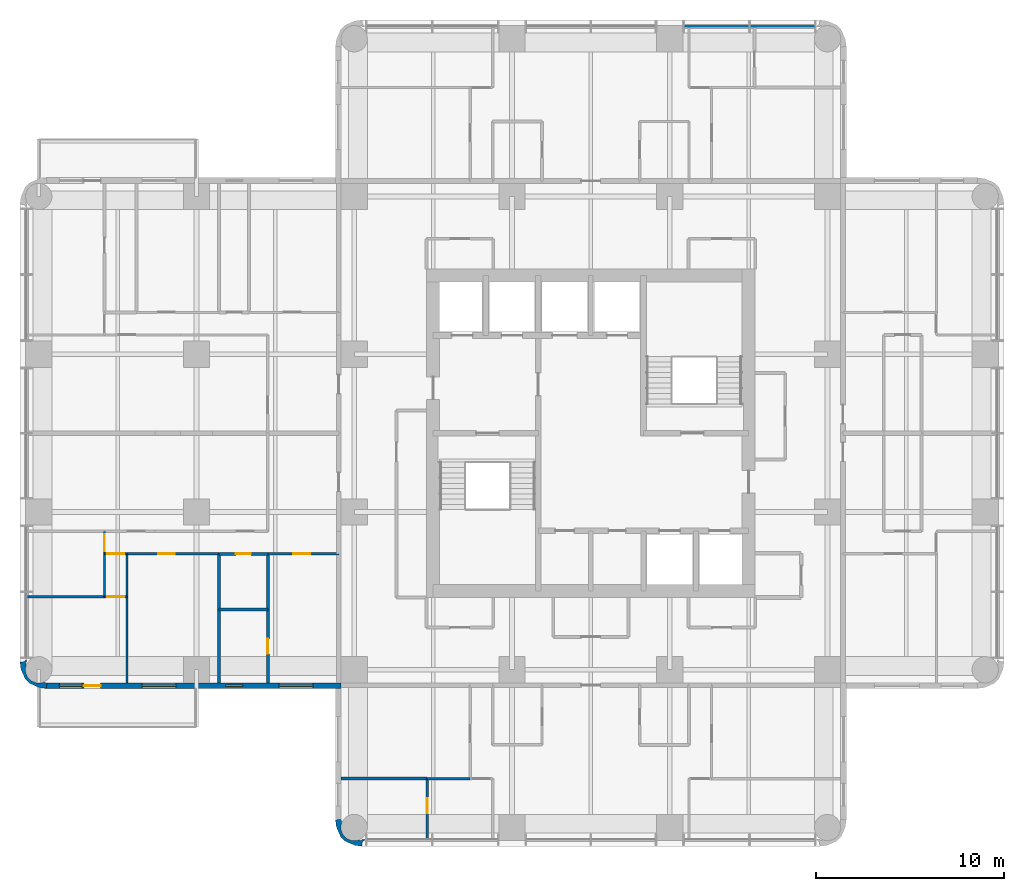
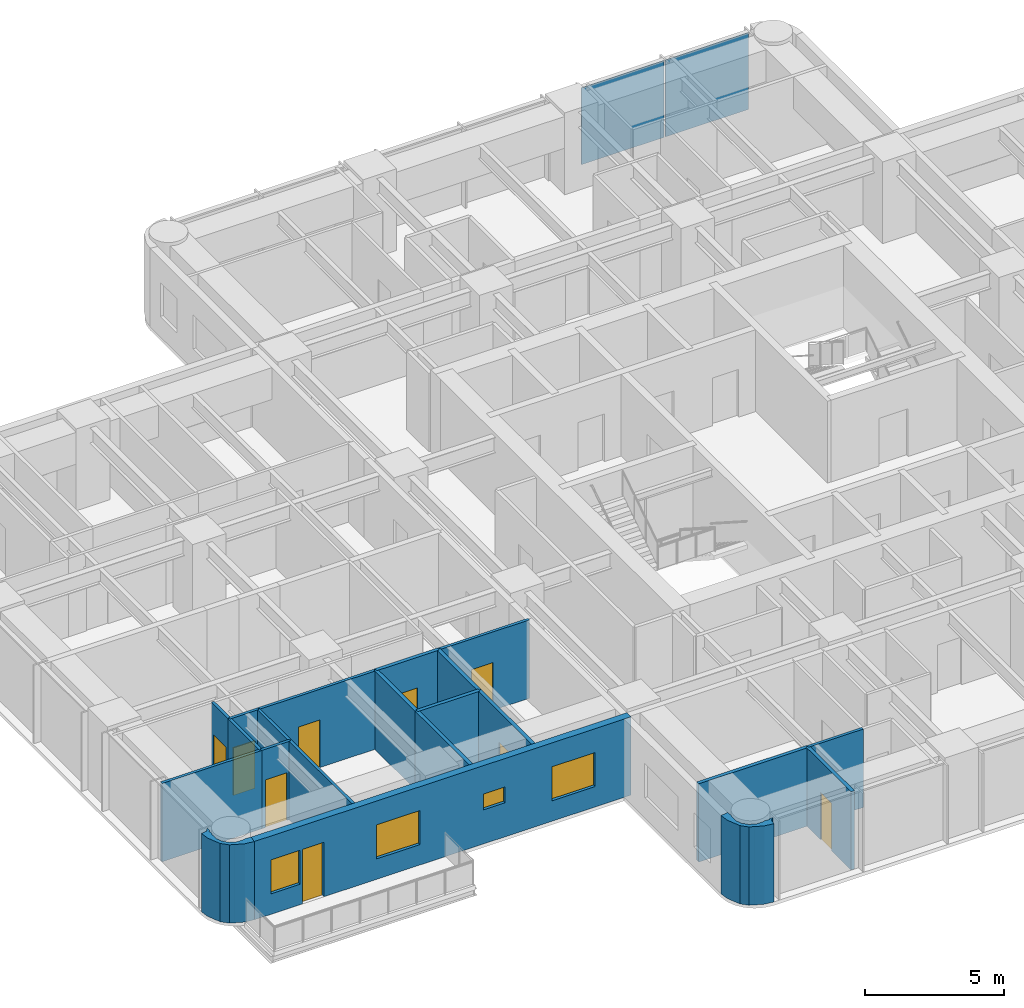
# One storey, part 4 of 11: 21 walls, 9 doors, 4 windows, 2 plates, 13 openings, 1 element without a shape of its own.
"""IFC4 building model written with IfcOpenShell, lengths in metres."""

from ifc_helpers import new_model, si_unit, direction, frame, frame_2d, origin, origin_2d, place, context, subcontext, project, spatial, polyline, rectangle, outline, extrude, material, layer, layer_set, type_object, element, fill, aggregate, save


model = new_model("IFC4")

# Units and contexts
model_context = context("Model", 3, precision=1e-05, world=origin(), true_north=direction((0.0, 1.0)))
body_context = subcontext(model_context, "Body", "Model", "MODEL_VIEW")
ifc_project = project(units=[si_unit("LENGTHUNIT", "METRE"), si_unit("AREAUNIT", "SQUARE_METRE"), si_unit("VOLUMEUNIT", "CUBIC_METRE"), si_unit("PLANEANGLEUNIT", "RADIAN"), si_unit("MASSUNIT", "GRAM", prefix="KILO")], contexts=[model_context])

# Site, building, storey
site_placement = place(None, origin())
site = spatial("IfcSite", under=ifc_project, at=site_placement, CompositionType="ELEMENT")
building_placement = place(site_placement, origin())
building = spatial("IfcBuilding", under=site, at=building_placement, Name="Torre Alcanfor", CompositionType="ELEMENT")
storey_placement = place(building_placement, frame((0.0, 0.0, 194.10009765625)))
storey = spatial("IfcBuildingStorey", under=building, at=storey_placement, Name="L50", CompositionType="ELEMENT", Elevation=194.10009765625)

# Curtain wall, plates
ifc_material_1 = material(Name="Aluminium and glass", Category="aluminium")
curtain_wall_type = type_object("IfcCurtainWallType", Name="CW-A unitised apartment glazing with vertical FIN", PredefinedType="NOTDEFINED", material=ifc_material_1)
curtain_wall_placement = place(storey_placement, origin())
curtain_wall = element("IfcCurtainWall", 1, at=curtain_wall_placement, inside=storey, type_object=curtain_wall_type, Name="Curtain wall CW-A L50 11", PredefinedType="NOTDEFINED")
ifc_material_2 = material(Name="Glass", Category="glass")
ifc_layer_1 = layer(ifc_material_2, 0.028076171875)
ifc_layer_set_1 = layer_set([ifc_layer_1], Name="CW-A clear double glazed unit")
plate_type = type_object("IfcPlateType", Name="CW-A clear double glazed unit", PredefinedType="CURTAIN_PANEL", material=ifc_layer_set_1)
plate_1_placement = place(storey_placement, frame((39.60107421875, 51.050048828125, 0.0), z_axis=(0.0, 0.0, 1.0), x_axis=(-1.0, 0.0, 0.0)))
plate_1 = element("IfcPlate", 2, at=plate_1_placement, type_object=plate_type, Name="CW-A panel 1.1.1", PredefinedType="CURTAIN_PANEL", context=body_context, shape_type="SweptSolid", body=[
    extrude(rectangle(XDim=3.444091796875, YDim=0.028076171875, at=origin_2d()), origin(), (0.0, 0.0, 1.0), 3.385009765625),
])
plate_2_placement = place(storey_placement, frame((36.092041015625, 51.050048828125, 0.0), z_axis=(0.0, 0.0, 1.0), x_axis=(-1.0, 0.0, 0.0)))
plate_2 = element("IfcPlate", 3, at=plate_2_placement, type_object=plate_type, Name="CW-A panel 1.2.1", PredefinedType="CURTAIN_PANEL", context=body_context, shape_type="SweptSolid", body=[
    extrude(rectangle(XDim=3.444091796875, YDim=0.028076171875, at=origin_2d()), origin(), (0.0, 0.0, 1.0), 3.385009765625),
])
aggregate(curtain_wall, [plate_1, plate_2])

# Wall
ifc_material_3 = material(Name="Gypsum board on steel studs", Category="steel")
ifc_layer_2 = layer(ifc_material_3, 0.1201171875)
ifc_layer_set_2 = layer_set([ifc_layer_2], Name="Apartment partition 120")
wall_type_1 = type_object("IfcWallType", Name="Apartment partition 120", PredefinedType="PARTITIONING", material=ifc_layer_set_2)
wall_1_placement = place(storey_placement, frame((20.68603515625, 11.0, 0.0), z_axis=(0.0, 0.0, 1.0), x_axis=(1.0, 0.0, 0.0)))
element("IfcWall", 4, at=wall_1_placement, inside=storey, type_object=wall_type_1, Name="Partition L50-SX-BED3 / L50-SX-BED1", PredefinedType="PARTITIONING", context=body_context, shape_type="SweptSolid", body=[
    extrude(rectangle(XDim=2.284912109375, YDim=0.1201171875, at=frame_2d((1.142578125, 0.0))), origin(), (0.0, 0.0, 1.0), 3.449951171875),
])

# Wall, opening, door
wall_2_placement = place(storey_placement, frame((12.199951171875, 22.970947265625, 0.0), z_axis=(0.0, 0.0, 1.0), x_axis=(1.0, 0.0, 0.0)))
wall_2 = element("IfcWall", 5, at=wall_2_placement, inside=storey, type_object=wall_type_1, Name="Partition L50-W1-HALL / L50-W1-SERV", PredefinedType="PARTITIONING", context=body_context, shape_type="SweptSolid", body=[
    extrude(rectangle(XDim=3.775146484375, YDim=0.1201171875, at=frame_2d((1.8876953125, 0.0))), origin(), (0.0, 0.0, 1.0), 3.449951171875),
])
opening_1_placement = place(wall_2_placement, frame((1.35009765625, 0.0, 0.0)))
opening_1 = element("IfcOpeningElement", 6, at=opening_1_placement, cuts=wall_2, Name="Opening D-R1", PredefinedType="OPENING", context=body_context, shape_type="SweptSolid", body=[
    extrude(rectangle(XDim=0.89990234375, YDim=2.10009765625, at=frame_2d((0.449951171875, 1.050048828125))), frame((0.0, 0.070068359375, 0.0), z_axis=(0.0, -1.0, 0.0), x_axis=(1.0, 0.0, 0.0)), (0.0, 0.0, 1.0), 0.14013671875),
])
ifc_material_4 = material(Name="Timber", Category="wood")
door_type_1 = type_object("IfcDoorType", Name="Internal door 900x2100", OperationType="SINGLE_SWING_LEFT", PredefinedType="DOOR", material=ifc_material_4)
door_1_placement = place(opening_1_placement, frame((0.89990234375, 0.0, 0.0), z_axis=(0.0, 0.0, 1.0), x_axis=(-1.0, 0.0, 0.0)))
door_1 = element("IfcDoor", 7, at=door_1_placement, inside=storey, type_object=door_type_1, Name="Door L50-W1 serv", OperationType="SINGLE_SWING_RIGHT", OverallHeight=2.10009765625, OverallWidth=0.89990234375, PredefinedType="DOOR", context=body_context, shape_type="SweptSolid", body=[
    extrude(rectangle(XDim=0.89990234375, YDim=2.10009765625, at=frame_2d((0.449951171875, 1.050048828125))), frame((0.0, 0.025146484375, 0.0), z_axis=(0.0, -1.0, 0.0), x_axis=(1.0, 0.0, 0.0)), (0.0, 0.0, 1.0), 0.050048828125),
])
fill(opening_1, door_1)

wall_3_placement = place(storey_placement, frame((4.699951171875, 22.970947265625, 0.0), z_axis=(0.0, 0.0, 1.0), x_axis=(1.0, 0.0, 0.0)))
wall_3 = element("IfcWall", 8, at=wall_3_placement, inside=storey, type_object=wall_type_1, Name="Partition L50-W1-HALL / L50-W1-BED3", PredefinedType="PARTITIONING", context=body_context, shape_type="SweptSolid", body=[
    extrude(rectangle(XDim=4.900146484375, YDim=0.1201171875, at=frame_2d((2.4501953125, 0.0))), origin(), (0.0, 0.0, 1.0), 3.449951171875),
])
opening_2_placement = place(wall_3_placement, frame((1.64990234375, 0.0, 0.0)))
opening_2 = element("IfcOpeningElement", 9, at=opening_2_placement, cuts=wall_3, Name="Opening D-R1", PredefinedType="OPENING", context=body_context, shape_type="SweptSolid", body=[
    extrude(rectangle(XDim=0.89990234375, YDim=2.10009765625, at=frame_2d((0.449951171875, 1.050048828125))), frame((0.0, 0.070068359375, 0.0), z_axis=(0.0, -1.0, 0.0), x_axis=(1.0, 0.0, 0.0)), (0.0, 0.0, 1.0), 0.14013671875),
])
door_2_placement = place(opening_2_placement, frame((0.89990234375, 0.0, 0.0), z_axis=(0.0, 0.0, 1.0), x_axis=(-1.0, 0.0, 0.0)))
door_2 = element("IfcDoor", 10, at=door_2_placement, inside=storey, type_object=door_type_1, Name="Door L50-W1 bed3", OperationType="SINGLE_SWING_RIGHT", OverallHeight=2.10009765625, OverallWidth=0.89990234375, PredefinedType="DOOR", context=body_context, shape_type="SweptSolid", body=[
    extrude(rectangle(XDim=0.89990234375, YDim=2.10009765625, at=frame_2d((0.449951171875, 1.050048828125))), frame((0.0, 0.025146484375, 0.0), z_axis=(0.0, -1.0, 0.0), x_axis=(1.0, 0.0, 0.0)), (0.0, 0.0, 1.0), 0.050048828125),
])
fill(opening_2, door_2)

wall_4_placement = place(storey_placement, frame((3.5, 22.970947265625, 0.0), z_axis=(0.0, 0.0, 1.0), x_axis=(1.0, 0.0, 0.0)))
wall_4 = element("IfcWall", 11, at=wall_4_placement, inside=storey, type_object=wall_type_1, Name="Partition L50-W1-HALL / L50-W1-VEST", PredefinedType="PARTITIONING", context=body_context, shape_type="SweptSolid", body=[
    extrude(rectangle(XDim=1.199951171875, YDim=0.1201171875, at=frame_2d((0.60009765625, 0.0))), origin(), (0.0, 0.0, 1.0), 3.449951171875),
])
opening_3_placement = place(wall_4_placement, frame((0.14990234375, 0.0, 0.0)))
opening_3 = element("IfcOpeningElement", 12, at=opening_3_placement, cuts=wall_4, Name="Opening D-R1", PredefinedType="OPENING", context=body_context, shape_type="SweptSolid", body=[
    extrude(rectangle(XDim=0.89990234375, YDim=2.10009765625, at=frame_2d((0.449951171875, 1.050048828125))), frame((0.0, 0.070068359375, 0.0), z_axis=(0.0, -1.0, 0.0), x_axis=(1.0, 0.0, 0.0)), (0.0, 0.0, 1.0), 0.14013671875),
])
door_3_placement = place(opening_3_placement, frame((0.89990234375, 0.0, 0.0), z_axis=(0.0, 0.0, 1.0), x_axis=(-1.0, 0.0, 0.0)))
door_3 = element("IfcDoor", 13, at=door_3_placement, inside=storey, type_object=door_type_1, Name="Door L50-W1 vest", OperationType="SINGLE_SWING_RIGHT", OverallHeight=2.10009765625, OverallWidth=0.89990234375, PredefinedType="DOOR", context=body_context, shape_type="SweptSolid", body=[
    extrude(rectangle(XDim=0.89990234375, YDim=2.10009765625, at=frame_2d((0.449951171875, 1.050048828125))), frame((0.0, 0.025146484375, 0.0), z_axis=(0.0, -1.0, 0.0), x_axis=(1.0, 0.0, 0.0)), (0.0, 0.0, 1.0), 0.050048828125),
])
fill(opening_3, door_3)

wall_5_placement = place(storey_placement, frame((3.5, 24.1708984375, 0.0), z_axis=(0.0, 0.0, 1.0), x_axis=(0.0, -1.0, 0.0)))
wall_5 = element("IfcWall", 14, at=wall_5_placement, inside=storey, type_object=wall_type_1, Name="Partition L50-W1-HALL / L50-W1-BED2", PredefinedType="PARTITIONING", context=body_context, shape_type="SweptSolid", body=[
    extrude(rectangle(XDim=1.199951171875, YDim=0.1201171875, at=frame_2d((0.60009765625, 0.0))), origin(), (0.0, 0.0, 1.0), 3.449951171875),
])
opening_4_placement = place(wall_5_placement, frame((0.15087890625, 0.0, 0.0)))
opening_4 = element("IfcOpeningElement", 15, at=opening_4_placement, cuts=wall_5, Name="Opening D-R1", PredefinedType="OPENING", context=body_context, shape_type="SweptSolid", body=[
    extrude(rectangle(XDim=0.89990234375, YDim=2.10009765625, at=frame_2d((0.449951171875, 1.050048828125))), frame((0.0, 0.070068359375, 0.0), z_axis=(0.0, -1.0, 0.0), x_axis=(1.0, 0.0, 0.0)), (0.0, 0.0, 1.0), 0.14013671875),
])
door_4_placement = place(opening_4_placement, frame((0.89990234375, 0.0, 0.0), z_axis=(0.0, 0.0, 1.0), x_axis=(-1.0, 0.0, 0.0)))
door_4 = element("IfcDoor", 16, at=door_4_placement, inside=storey, type_object=door_type_1, Name="Door L50-W1 bed2", OperationType="SINGLE_SWING_RIGHT", OverallHeight=2.10009765625, OverallWidth=0.89990234375, PredefinedType="DOOR", context=body_context, shape_type="SweptSolid", body=[
    extrude(rectangle(XDim=0.89990234375, YDim=2.10009765625, at=frame_2d((0.449951171875, 1.050048828125))), frame((0.0, 0.025146484375, 0.0), z_axis=(0.0, -1.0, 0.0), x_axis=(1.0, 0.0, 0.0)), (0.0, 0.0, 1.0), 0.050048828125),
])
fill(opening_4, door_4)

# Walls
wall_6_placement = place(storey_placement, frame((4.699951171875, 22.970947265625, 0.0), z_axis=(0.0, 0.0, 1.0), x_axis=(0.0, -1.0, 0.0)))
element("IfcWall", 17, at=wall_6_placement, inside=storey, type_object=wall_type_1, Name="Partition L50-W1-BED3 / L50-W1-VEST", PredefinedType="PARTITIONING", context=body_context, shape_type="SweptSolid", body=[
    extrude(rectangle(XDim=2.284912109375, YDim=0.1201171875, at=frame_2d((1.142578125, 0.0))), origin(), (0.0, 0.0, 1.0), 3.449951171875),
])
wall_7_placement = place(storey_placement, frame((4.699951171875, 20.68603515625, 0.0), z_axis=(0.0, 0.0, 1.0), x_axis=(0.0, -1.0, 0.0)))
element("IfcWall", 18, at=wall_7_placement, inside=storey, type_object=wall_type_1, Name="Partition L50-W1-BED3 / L50-W1-MASTER", PredefinedType="PARTITIONING", context=body_context, shape_type="SweptSolid", body=[
    extrude(rectangle(XDim=4.5859375, YDim=0.1201171875, at=frame_2d((2.29296875, 0.0))), origin(), (0.0, 0.0, 1.0), 3.449951171875),
])
wall_8_placement = place(storey_placement, frame((3.5, 22.970947265625, 0.0), z_axis=(0.0, 0.0, 1.0), x_axis=(0.0, -1.0, 0.0)))
element("IfcWall", 19, at=wall_8_placement, inside=storey, type_object=wall_type_1, Name="Partition L50-W1-VEST / L50-W1-BED2", PredefinedType="PARTITIONING", context=body_context, shape_type="SweptSolid", body=[
    extrude(rectangle(XDim=2.284912109375, YDim=0.1201171875, at=frame_2d((1.142578125, 0.0))), origin(), (0.0, 0.0, 1.0), 3.449951171875),
])

# Wall, opening, door
wall_9_placement = place(storey_placement, frame((3.5, 20.68603515625, 0.0), z_axis=(0.0, 0.0, 1.0), x_axis=(1.0, 0.0, 0.0)))
wall_9 = element("IfcWall", 20, at=wall_9_placement, inside=storey, type_object=wall_type_1, Name="Partition L50-W1-VEST / L50-W1-MASTER", PredefinedType="PARTITIONING", context=body_context, shape_type="SweptSolid", body=[
    extrude(rectangle(XDim=1.199951171875, YDim=0.1201171875, at=frame_2d((0.60009765625, 0.0))), origin(), (0.0, 0.0, 1.0), 3.449951171875),
])
opening_5_placement = place(wall_9_placement, frame((0.14990234375, 0.0, 0.0)))
opening_5 = element("IfcOpeningElement", 21, at=opening_5_placement, cuts=wall_9, Name="Opening D-R1", PredefinedType="OPENING", context=body_context, shape_type="SweptSolid", body=[
    extrude(rectangle(XDim=0.89990234375, YDim=2.10009765625, at=frame_2d((0.449951171875, 1.050048828125))), frame((0.0, 0.070068359375, 0.0), z_axis=(0.0, -1.0, 0.0), x_axis=(1.0, 0.0, 0.0)), (0.0, 0.0, 1.0), 0.14013671875),
])
door_5_placement = place(opening_5_placement, origin())
door_5 = element("IfcDoor", 22, at=door_5_placement, inside=storey, type_object=door_type_1, Name="Door L50-W1 master", OperationType="SINGLE_SWING_LEFT", OverallHeight=2.10009765625, OverallWidth=0.89990234375, PredefinedType="DOOR", context=body_context, shape_type="SweptSolid", body=[
    extrude(rectangle(XDim=0.89990234375, YDim=2.10009765625, at=frame_2d((0.449951171875, 1.050048828125))), frame((0.0, 0.02490234375, 0.0), z_axis=(0.0, -1.0, 0.0), x_axis=(1.0, 0.0, 0.0)), (0.0, 0.0, 1.0), 0.050048828125),
])
fill(opening_5, door_5)

# Wall
wall_10_placement = place(storey_placement, frame((-0.64990234375, 20.68603515625, 0.0), z_axis=(0.0, 0.0, 1.0), x_axis=(1.0, 0.0, 0.0)))
element("IfcWall", 23, at=wall_10_placement, inside=storey, type_object=wall_type_1, Name="Partition L50-W1-BED2 / L50-W1-MASTER", PredefinedType="PARTITIONING", context=body_context, shape_type="SweptSolid", body=[
    extrude(rectangle(XDim=4.14990234375, YDim=0.1201171875, at=frame_2d((2.074951171875, 0.0))), origin(), (0.0, 0.0, 1.0), 3.449951171875),
])

# Wall, openings, door, windows
ifc_material_5 = material(Name="Limestone cladding", Category="masonry")
ifc_layer_3 = layer(ifc_material_5, 0.0400390625, Name="Facing")
ifc_material_6 = material(Name="Ventilated air cavity")
ifc_layer_4 = layer(ifc_material_6, 0.02001953125, ventilated=True, Name="Ventilated joint")
ifc_material_7 = material(Name="Mineral wool insulation", Category="insulation")
ifc_layer_5 = layer(ifc_material_7, 0.10009765625, Name="Insulation")
ifc_material_8 = material(Name="Concrete f'c 35 MPa", Category="concrete")
ifc_layer_6 = layer(ifc_material_8, 0.139892578125, Name="Backing")
ifc_layer_set_3 = layer_set([ifc_layer_3, ifc_layer_4, ifc_layer_5, ifc_layer_6], Name="External wall stone-clad 300")
wall_type_2 = type_object("IfcWallType", Name="External wall stone-clad 300", PredefinedType="SOLIDWALL", material=ifc_layer_set_3)
wall_11_placement = place(storey_placement, frame((0.39990234375, 15.949951171875, 0.0), z_axis=(0.0, 0.0, 1.0), x_axis=(1.0, 0.0, 0.0)))
wall_11 = element("IfcWall", 24, at=wall_11_placement, inside=storey, type_object=wall_type_2, Name="External wall L50 3", PredefinedType="SOLIDWALL", context=body_context, shape_type="SweptSolid", body=[
    extrude(rectangle(XDim=15.7001953125, YDim=0.300048828125, at=frame_2d((7.85009765625, 0.0))), origin(), (0.0, 0.0, 1.0), 3.449951171875),
])
opening_6_placement = place(wall_11_placement, frame((12.39990234375, 0.0, 0.89990234375)))
opening_6 = element("IfcOpeningElement", 25, at=opening_6_placement, cuts=wall_11, Name="Opening W2", PredefinedType="OPENING", context=body_context, shape_type="SweptSolid", body=[
    extrude(rectangle(XDim=1.800048828125, YDim=1.5, at=frame_2d((0.89990234375, 0.75))), frame((0.0, 0.159912109375, 0.0), z_axis=(0.0, -1.0, 0.0), x_axis=(1.0, 0.0, 0.0)), (0.0, 0.0, 1.0), 0.320068359375),
])
opening_7_placement = place(wall_11_placement, frame((9.550048828125, 0.0, 1.5)))
opening_7 = element("IfcOpeningElement", 26, at=opening_7_placement, cuts=wall_11, Name="Opening W3", PredefinedType="OPENING", context=body_context, shape_type="SweptSolid", body=[
    extrude(rectangle(XDim=0.89990234375, YDim=0.699951171875, at=frame_2d((0.449951171875, 0.35009765625))), frame((0.0, 0.159912109375, 0.0), z_axis=(0.0, -1.0, 0.0), x_axis=(1.0, 0.0, 0.0)), (0.0, 0.0, 1.0), 0.320068359375),
])
opening_8_placement = place(wall_11_placement, frame((5.10009765625, 0.0, 0.89990234375)))
opening_8 = element("IfcOpeningElement", 27, at=opening_8_placement, cuts=wall_11, Name="Opening W2", PredefinedType="OPENING", context=body_context, shape_type="SweptSolid", body=[
    extrude(rectangle(XDim=1.800048828125, YDim=1.5, at=frame_2d((0.89990234375, 0.75))), frame((0.0, 0.159912109375, 0.0), z_axis=(0.0, -1.0, 0.0), x_axis=(1.0, 0.0, 0.0)), (0.0, 0.0, 1.0), 0.320068359375),
])
opening_9_placement = place(wall_11_placement, frame((2.0, 0.0, 0.0)))
opening_9 = element("IfcOpeningElement", 28, at=opening_9_placement, cuts=wall_11, Name="Opening D-B1", PredefinedType="OPENING", context=body_context, shape_type="SweptSolid", body=[
    extrude(rectangle(XDim=0.89990234375, YDim=2.39990234375, at=frame_2d((0.449951171875, 1.199951171875))), frame((0.0, 0.159912109375, 0.0), z_axis=(0.0, -1.0, 0.0), x_axis=(1.0, 0.0, 0.0)), (0.0, 0.0, 1.0), 0.320068359375),
])
opening_10_placement = place(wall_11_placement, frame((0.699951171875, 0.0, 0.89990234375)))
opening_10 = element("IfcOpeningElement", 29, at=opening_10_placement, cuts=wall_11, Name="Opening W4", PredefinedType="OPENING", context=body_context, shape_type="SweptSolid", body=[
    extrude(rectangle(XDim=1.199951171875, YDim=1.5, at=frame_2d((0.60009765625, 0.75))), frame((0.0, 0.159912109375, 0.0), z_axis=(0.0, -1.0, 0.0), x_axis=(1.0, 0.0, 0.0)), (0.0, 0.0, 1.0), 0.320068359375),
])
ifc_material_9 = material(Name="Aluminium and glass", Category="aluminium")
door_type_2 = type_object("IfcDoorType", Name="Balcony door glazed 900x2400", OperationType="SINGLE_SWING_LEFT", PredefinedType="DOOR", material=ifc_material_9)
door_6_placement = place(opening_9_placement, origin())
door_6 = element("IfcDoor", 30, at=door_6_placement, inside=storey, type_object=door_type_2, Name="Balcony door L50-W1", OperationType="SINGLE_SWING_RIGHT", OverallHeight=2.39990234375, OverallWidth=0.89990234375, PredefinedType="DOOR", context=body_context, shape_type="SweptSolid", body=[
    extrude(rectangle(XDim=0.89990234375, YDim=2.39990234375, at=frame_2d((0.449951171875, 1.199951171875))), frame((0.0, 0.02490234375, 0.0), z_axis=(0.0, -1.0, 0.0), x_axis=(1.0, 0.0, 0.0)), (0.0, 0.0, 1.0), 0.050048828125),
])
fill(opening_9, door_6)
ifc_material_10 = material(Name="Aluminium frame with clear double glazing", Category="aluminium")
window_type_1 = type_object("IfcWindowType", Name="Window bathroom 900x700", PartitioningType="SINGLE_PANEL", PredefinedType="WINDOW", material=ifc_material_10)
window_1_placement = place(opening_7_placement, origin())
window_1 = element("IfcWindow", 31, at=window_1_placement, inside=storey, type_object=window_type_1, Name="Window W3 L50-W1", OverallHeight=0.699951171875, OverallWidth=0.89990234375, PartitioningType="SINGLE_PANEL", PredefinedType="WINDOW", context=body_context, shape_type="SweptSolid", body=[
    extrude(rectangle(XDim=0.89990234375, YDim=0.699951171875, at=frame_2d((0.449951171875, 0.35009765625))), frame((0.0, 0.030029296875, 0.0), z_axis=(0.0, -1.0, 0.0), x_axis=(1.0, 0.0, 0.0)), (0.0, 0.0, 1.0), 0.06005859375),
])
fill(opening_7, window_1)
ifc_material_11 = material(Name="Aluminium frame with clear double glazing", Category="aluminium")
window_type_2 = type_object("IfcWindowType", Name="Window bedroom 1200x1500", PartitioningType="SINGLE_PANEL", PredefinedType="WINDOW", material=ifc_material_11)
window_2_placement = place(opening_10_placement, origin())
window_2 = element("IfcWindow", 32, at=window_2_placement, inside=storey, type_object=window_type_2, Name="Window W4 L50-W1", OverallHeight=1.5, OverallWidth=1.199951171875, PartitioningType="SINGLE_PANEL", PredefinedType="WINDOW", context=body_context, shape_type="SweptSolid", body=[
    extrude(rectangle(XDim=1.199951171875, YDim=1.5, at=frame_2d((0.60009765625, 0.75))), frame((0.0, 0.030029296875, 0.0), z_axis=(0.0, -1.0, 0.0), x_axis=(1.0, 0.0, 0.0)), (0.0, 0.0, 1.0), 0.06005859375),
])
fill(opening_10, window_2)
ifc_material_12 = material(Name="Aluminium frame with clear double glazing", Category="aluminium")
window_type_3 = type_object("IfcWindowType", Name="Window bedroom 1800x1500", PartitioningType="SINGLE_PANEL", PredefinedType="WINDOW", material=ifc_material_12)
window_3_placement = place(opening_6_placement, origin())
window_3 = element("IfcWindow", 33, at=window_3_placement, inside=storey, type_object=window_type_3, Name="Window W2 L50-W1", OverallHeight=1.5, OverallWidth=1.800048828125, PartitioningType="SINGLE_PANEL", PredefinedType="WINDOW", context=body_context, shape_type="SweptSolid", body=[
    extrude(rectangle(XDim=1.800048828125, YDim=1.5, at=frame_2d((0.89990234375, 0.75))), frame((0.0, 0.030029296875, 0.0), z_axis=(0.0, -1.0, 0.0), x_axis=(1.0, 0.0, 0.0)), (0.0, 0.0, 1.0), 0.06005859375),
])
fill(opening_6, window_3)
window_4_placement = place(opening_8_placement, origin())
window_4 = element("IfcWindow", 34, at=window_4_placement, inside=storey, type_object=window_type_3, Name="Window W2 L50-W1", OverallHeight=1.5, OverallWidth=1.800048828125, PartitioningType="SINGLE_PANEL", PredefinedType="WINDOW", context=body_context, shape_type="SweptSolid", body=[
    extrude(rectangle(XDim=1.800048828125, YDim=1.5, at=frame_2d((0.89990234375, 0.75))), frame((0.0, 0.030029296875, 0.0), z_axis=(0.0, -1.0, 0.0), x_axis=(1.0, 0.0, 0.0)), (0.0, 0.0, 1.0), 0.06005859375),
])
fill(opening_8, window_4)

# Walls
ifc_layer_7 = layer(ifc_material_5, 0.0400390625, Name="Facing")
ifc_layer_8 = layer(ifc_material_6, 0.02001953125, ventilated=True, Name="Ventilated joint")
ifc_layer_9 = layer(ifc_material_7, 0.10009765625, Name="Insulation")
ifc_layer_10 = layer(ifc_material_8, 0.139892578125, Name="Backing")
ifc_layer_set_4 = layer_set([ifc_layer_7, ifc_layer_8, ifc_layer_9, ifc_layer_10], Name="Rounded corner pier stone-clad 300")
wall_type_3 = type_object("IfcWallType", Name="Rounded corner pier stone-clad 300", PredefinedType="SOLIDWALL", material=ifc_layer_set_4)
wall_12_placement = place(storey_placement, frame((-0.58815184, 17.312325495, 0.0), z_axis=(0.0, 0.0, 1.0), x_axis=(-0.898030234854, -0.439933741929, 0.0)))
element("IfcWall", 35, at=wall_12_placement, inside=storey, type_object=wall_type_3, Name="Corner pier L50 14", PredefinedType="SOLIDWALL", context=body_context, shape_type="SweptSolid", body=[
    extrude(outline(polyline([(-0.22200099779214466, 1.7927485446039917), (-0.3895203988851006, 1.5406953482066268), (-0.3717615001977944, 1.5319954866108696), (-0.1946893371505769, 1.4145296087243977), (-0.1196378565013686, 1.4095707271395082), (0.13074069042336733, 1.2869134192092004), (0.31532782000916126, 1.0776826467218847), (0.4055826710323692, 0.8140749979758074), (0.38797260783771476, 0.5356152877148042), (0.26531529990740693, 0.28523674079006817), (0.2089410932617622, 0.23564484500123395), (0.1476439801012907, 0.052805298357783616), (0.1048910758540722, 0.07374940960682917), (0.03174779503048235, -0.07555688676422617), (0.13758283616273645, -0.03932073839803114), (0.18192415361672865, -0.0004176855725517292), (0.4192893563182328, -0.08027036234769044), (0.5359265089611867, 0.2660343125058281), (0.55884082549336, 0.63079452952945), (0.5546362328412097, 0.6510690852705474), (0.5662389797265355, 0.8356887018617073), (0.45562482097298596, 1.1592927954286232), (0.3331931039366845, 1.297838781078767), (0.32408874086174466, 1.3164357373584665), (0.08241545456328281, 1.5906055834666009), (-0.22200099779214466, 1.7927485446039917)])), origin(), (0.0, 0.0, 1.0), 3.449951171875),
])
wall_13_placement = place(storey_placement, frame((16.075788181, 8.689684728, 0.0), z_axis=(0.0, 0.0, 1.0), x_axis=(-0.439933741929, -0.898030234854, 0.0)))
element("IfcWall", 36, at=wall_13_placement, inside=storey, type_object=wall_type_3, Name="Corner pier L50 15", PredefinedType="SOLIDWALL", context=body_context, shape_type="SweptSolid", body=[
    extrude(outline(polyline([(0.6637063463257242, 1.5769511452868783), (0.42612189796141386, 1.4969910628130267), (0.381999826170228, 1.536001521337219), (0.2761647850379738, 1.5722376697034142), (0.3493080658615637, 1.4229313733323588), (0.391841724445976, 1.4437680788826912), (0.45335808326925375, 1.261035937937954), (0.5097322899148984, 1.2114440421491197), (0.6323895978452062, 0.9610654952243838), (0.6499996610398608, 0.6826057849633805), (0.5595255643538466, 0.4188907305185901), (0.37515768043085884, 0.20976736372998736), (0.1247791335061229, 0.08711005579967954), (0.04972765285691469, 0.0821511742147902), (-0.1273445101903028, -0.035314703671681595), (-0.14532265454041515, -0.04412197096615204), (0.02219674655254064, -0.2961751673635169), (0.3266131989079681, -0.09403220622612604), (0.56828648520643, 0.18013763988200826), (0.5776100939441761, 0.19884200186042086), (0.6998225653176713, 0.33728058181185155), (0.810655969734027, 0.6609920810774806), (0.7990532228487013, 0.8456116976686404), (0.8030385698380452, 0.8657788477110249), (0.7801242533058719, 1.2305390647346468), (0.6637063463257242, 1.5769511452868783)])), origin(), (0.0, 0.0, 1.0), 3.449951171875),
])
ifc_material_13 = material(Name="Cement board on steel studs", Category="steel")
ifc_layer_11 = layer(ifc_material_13, 0.14990234375)
ifc_layer_set_5 = layer_set([ifc_layer_11], Name="Wet area partition 150")
wall_type_4 = type_object("IfcWallType", Name="Wet area partition 150", PredefinedType="PARTITIONING", material=ifc_layer_set_5)
wall_14_placement = place(storey_placement, frame((16.10009765625, 11.0, 0.0), z_axis=(0.0, 0.0, 1.0), x_axis=(1.0, 0.0, 0.0)))
element("IfcWall", 37, at=wall_14_placement, inside=storey, type_object=wall_type_4, Name="Partition L50-SX-BED3 / L50-SX-BATH1", PredefinedType="PARTITIONING", context=body_context, shape_type="SweptSolid", body=[
    extrude(rectangle(XDim=4.5859375, YDim=0.14990234375, at=frame_2d((2.29296875, 0.0))), origin(), (0.0, 0.0, 1.0), 3.449951171875),
])

# Wall, opening, door
wall_15_placement = place(storey_placement, frame((20.68603515625, 7.75, 0.0), z_axis=(0.0, 0.0, 1.0), x_axis=(0.0, 1.0, 0.0)))
wall_15 = element("IfcWall", 38, at=wall_15_placement, inside=storey, type_object=wall_type_4, Name="Partition L50-SX-BATH1 / L50-SX-BED1", PredefinedType="PARTITIONING", context=body_context, shape_type="SweptSolid", body=[
    extrude(rectangle(XDim=3.25, YDim=0.14990234375, at=frame_2d((1.625, 0.0))), origin(), (0.0, 0.0, 1.0), 3.449951171875),
])
opening_11_placement = place(wall_15_placement, frame((1.39990234375, 0.0, 0.0)))
opening_11 = element("IfcOpeningElement", 39, at=opening_11_placement, cuts=wall_15, Name="Opening D-R2", PredefinedType="OPENING", context=body_context, shape_type="SweptSolid", body=[
    extrude(rectangle(XDim=0.800048828125, YDim=2.10009765625, at=frame_2d((0.39990234375, 1.050048828125))), frame((0.0, 0.0849609375, 0.0), z_axis=(0.0, -1.0, 0.0), x_axis=(1.0, 0.0, 0.0)), (0.0, 0.0, 1.0), 0.169921875),
])
ifc_material_14 = material(Name="Timber", Category="wood")
door_type_3 = type_object("IfcDoorType", Name="Bathroom door 800x2100", OperationType="SINGLE_SWING_LEFT", PredefinedType="DOOR", material=ifc_material_14)
door_7_placement = place(opening_11_placement, frame((0.800048828125, 0.0, 0.0), z_axis=(0.0, 0.0, 1.0), x_axis=(-1.0, 0.0, 0.0)))
door_7 = element("IfcDoor", 40, at=door_7_placement, inside=storey, type_object=door_type_3, Name="Door L50-SX bath1", OperationType="SINGLE_SWING_LEFT", OverallHeight=2.10009765625, OverallWidth=0.800048828125, PredefinedType="DOOR", context=body_context, shape_type="SweptSolid", body=[
    extrude(rectangle(XDim=0.800048828125, YDim=2.10009765625, at=frame_2d((0.400146484375, 1.050048828125))), frame((0.0, 0.025146484375, 0.0), z_axis=(0.0, -1.0, 0.0), x_axis=(1.0, 0.0, 0.0)), (0.0, 0.0, 1.0), 0.050048828125),
])
fill(opening_11, door_7)

wall_16_placement = place(storey_placement, frame((9.60009765625, 22.970947265625, 0.0), z_axis=(0.0, 0.0, 1.0), x_axis=(1.0, 0.0, 0.0)))
wall_16 = element("IfcWall", 41, at=wall_16_placement, inside=storey, type_object=wall_type_4, Name="Partition L50-W1-HALL / L50-W1-BATH1", PredefinedType="PARTITIONING", context=body_context, shape_type="SweptSolid", body=[
    extrude(rectangle(XDim=2.599853515625, YDim=0.14990234375, at=frame_2d((1.2998046875, 0.0))), origin(), (0.0, 0.0, 1.0), 3.449951171875),
])
opening_12_placement = place(wall_16_placement, frame((0.89990234375, 0.0, 0.0)))
opening_12 = element("IfcOpeningElement", 42, at=opening_12_placement, cuts=wall_16, Name="Opening D-R2", PredefinedType="OPENING", context=body_context, shape_type="SweptSolid", body=[
    extrude(rectangle(XDim=0.800048828125, YDim=2.10009765625, at=frame_2d((0.39990234375, 1.050048828125))), frame((0.0, 0.0849609375, 0.0), z_axis=(0.0, -1.0, 0.0), x_axis=(1.0, 0.0, 0.0)), (0.0, 0.0, 1.0), 0.169921875),
])
door_8_placement = place(opening_12_placement, frame((0.800048828125, 0.0, 0.0), z_axis=(0.0, 0.0, 1.0), x_axis=(-1.0, 0.0, 0.0)))
door_8 = element("IfcDoor", 43, at=door_8_placement, inside=storey, type_object=door_type_3, Name="Door L50-W1 bath1", OperationType="SINGLE_SWING_RIGHT", OverallHeight=2.10009765625, OverallWidth=0.800048828125, PredefinedType="DOOR", context=body_context, shape_type="SweptSolid", body=[
    extrude(rectangle(XDim=0.800048828125, YDim=2.10009765625, at=frame_2d((0.400146484375, 1.050048828125))), frame((0.0, 0.025146484375, 0.0), z_axis=(0.0, -1.0, 0.0), x_axis=(1.0, 0.0, 0.0)), (0.0, 0.0, 1.0), 0.050048828125),
])
fill(opening_12, door_8)

# Wall
wall_17_placement = place(storey_placement, frame((12.199951171875, 22.970947265625, 0.0), z_axis=(0.0, 0.0, 1.0), x_axis=(0.0, -1.0, 0.0)))
element("IfcWall", 44, at=wall_17_placement, inside=storey, type_object=wall_type_4, Name="Partition L50-W1-SERV / L50-W1-BATH1", PredefinedType="PARTITIONING", context=body_context, shape_type="SweptSolid", body=[
    extrude(rectangle(XDim=2.970947265625, YDim=0.14990234375, at=frame_2d((1.4853515625, 0.0))), origin(), (0.0, 0.0, 1.0), 3.449951171875),
])

# Wall, opening, door
wall_18_placement = place(storey_placement, frame((12.199951171875, 20.0, 0.0), z_axis=(0.0, 0.0, 1.0), x_axis=(0.0, -1.0, 0.0)))
wall_18 = element("IfcWall", 45, at=wall_18_placement, inside=storey, type_object=wall_type_4, Name="Partition L50-W1-SERV / L50-W1-SBATH", PredefinedType="PARTITIONING", context=body_context, shape_type="SweptSolid", body=[
    extrude(rectangle(XDim=3.89990234375, YDim=0.14990234375, at=frame_2d((1.949951171875, 0.0))), origin(), (0.0, 0.0, 1.0), 3.449951171875),
])
opening_13_placement = place(wall_18_placement, frame((1.550048828125, 0.0, 0.0)))
opening_13 = element("IfcOpeningElement", 46, at=opening_13_placement, cuts=wall_18, Name="Opening D-R2", PredefinedType="OPENING", context=body_context, shape_type="SweptSolid", body=[
    extrude(rectangle(XDim=0.800048828125, YDim=2.10009765625, at=frame_2d((0.39990234375, 1.050048828125))), frame((0.0, 0.0849609375, 0.0), z_axis=(0.0, -1.0, 0.0), x_axis=(1.0, 0.0, 0.0)), (0.0, 0.0, 1.0), 0.169921875),
])
door_9_placement = place(opening_13_placement, frame((0.800048828125, 0.0, 0.0), z_axis=(0.0, 0.0, 1.0), x_axis=(-1.0, 0.0, 0.0)))
door_9 = element("IfcDoor", 47, at=door_9_placement, inside=storey, type_object=door_type_3, Name="Door L50-W1 sbath", OperationType="SINGLE_SWING_RIGHT", OverallHeight=2.10009765625, OverallWidth=0.800048828125, PredefinedType="DOOR", context=body_context, shape_type="SweptSolid", body=[
    extrude(rectangle(XDim=0.800048828125, YDim=2.10009765625, at=frame_2d((0.400146484375, 1.050048828125))), frame((0.0, 0.025146484375, 0.0), z_axis=(0.0, -1.0, 0.0), x_axis=(1.0, 0.0, 0.0)), (0.0, 0.0, 1.0), 0.050048828125),
])
fill(opening_13, door_9)

# Walls
wall_19_placement = place(storey_placement, frame((9.60009765625, 20.0, 0.0), z_axis=(0.0, 0.0, 1.0), x_axis=(1.0, 0.0, 0.0)))
element("IfcWall", 48, at=wall_19_placement, inside=storey, type_object=wall_type_4, Name="Partition L50-W1-BATH1 / L50-W1-SBATH", PredefinedType="PARTITIONING", context=body_context, shape_type="SweptSolid", body=[
    extrude(rectangle(XDim=2.599853515625, YDim=0.14990234375, at=frame_2d((1.2998046875, 0.0))), origin(), (0.0, 0.0, 1.0), 3.449951171875),
])
wall_20_placement = place(storey_placement, frame((9.60009765625, 22.970947265625, 0.0), z_axis=(0.0, 0.0, 1.0), x_axis=(0.0, -1.0, 0.0)))
element("IfcWall", 49, at=wall_20_placement, inside=storey, type_object=wall_type_4, Name="Partition L50-W1-BATH1 / L50-W1-BED3", PredefinedType="PARTITIONING", context=body_context, shape_type="SweptSolid", body=[
    extrude(rectangle(XDim=2.970947265625, YDim=0.14990234375, at=frame_2d((1.4853515625, 0.0))), origin(), (0.0, 0.0, 1.0), 3.449951171875),
])
wall_21_placement = place(storey_placement, frame((9.60009765625, 20.0, 0.0), z_axis=(0.0, 0.0, 1.0), x_axis=(0.0, -1.0, 0.0)))
element("IfcWall", 50, at=wall_21_placement, inside=storey, type_object=wall_type_4, Name="Partition L50-W1-SBATH / L50-W1-BED3", PredefinedType="PARTITIONING", context=body_context, shape_type="SweptSolid", body=[
    extrude(rectangle(XDim=3.89990234375, YDim=0.14990234375, at=frame_2d((1.949951171875, 0.0))), origin(), (0.0, 0.0, 1.0), 3.449951171875),
])

save(model, "model.ifc")
